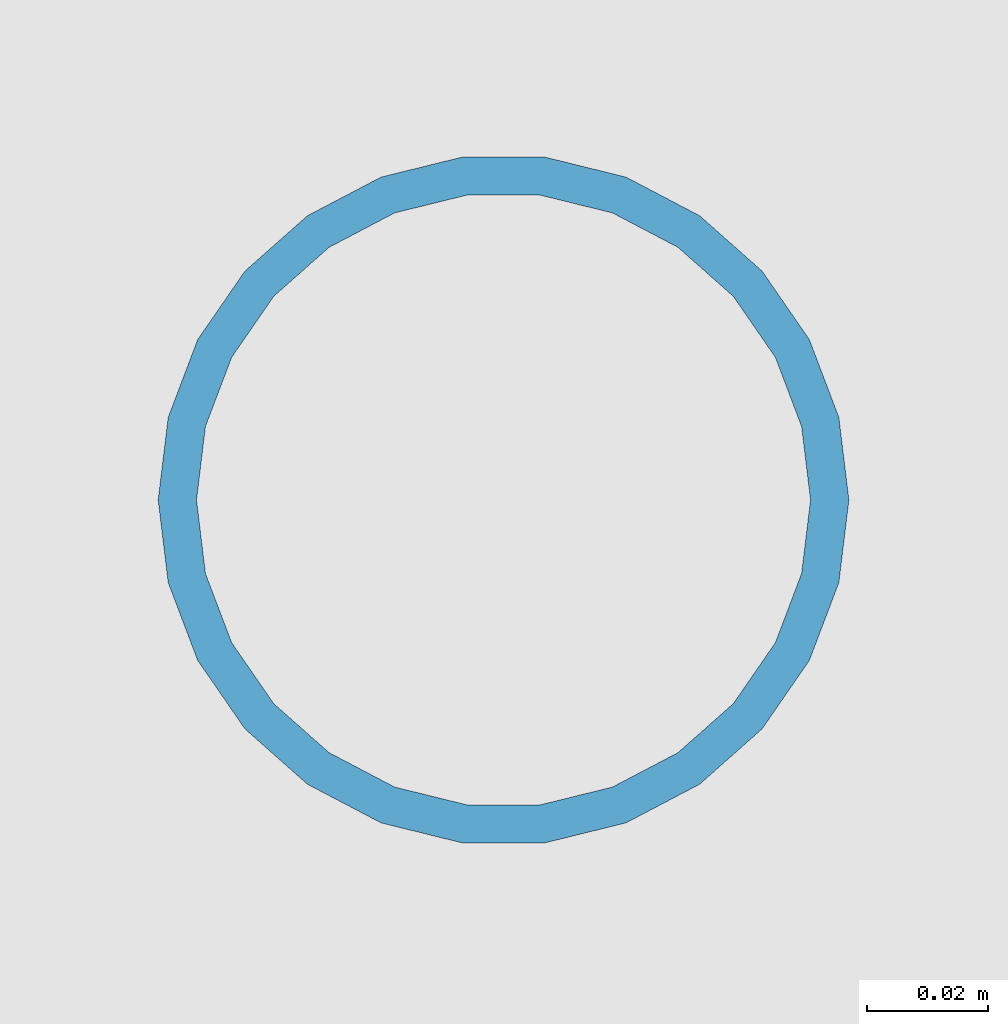
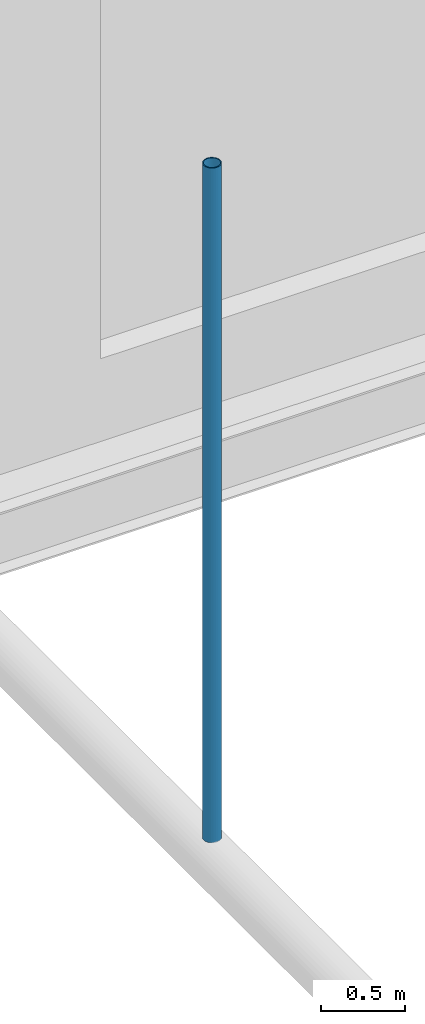
# One storey, part 53 of 167: 1 member.
"""IFC4 building model written with IfcOpenShell, lengths in metres."""

import ifcopenshell
import ifcopenshell.guid

model = None  # the IFC model being written
_history = None  # IfcOwnerHistory: only IFC2X3 demands one
_inside = {}  # id of a spatial element -> (the spatial element, [elements in it])
_under = {}  # id of a project, library or spatial element -> (it, [spatial elements below it])
_declared = {}  # id of a project -> (the project, [libraries it declares])
_typed = {}  # id of a type object -> (the type object, [elements of that type])
_made_of = {}  # id of a material, layer set ... -> (it, [elements and type objects made of it])


def new_model(schema):
    """Start an empty IFC model of exactly this schema.

    Asked for "IFC4X3", IfcOpenShell would pick the latest addendum, in which some entities
    have other attributes; the version numbers below select the first issue.
    IFC2X3 requires an IfcOwnerHistory on every rooted entity: one is made here for all.
    """
    global model, _history
    if schema == "IFC4X3":
        model = ifcopenshell.file(schema_version=(4, 3, 0, 0))
    else:
        model = ifcopenshell.file(schema=schema)
    _inside.clear()
    _under.clear()
    _declared.clear()
    _typed.clear()
    _made_of.clear()
    _history = None
    if model.schema == "IFC2X3":
        org = make("IfcOrganization", Name="unknown")
        user = make(
            "IfcPersonAndOrganization",
            ThePerson=make("IfcPerson", FamilyName="unknown"),
            TheOrganization=org,
        )
        app = make(
            "IfcApplication",
            ApplicationDeveloper=org,
            Version="unknown",
            ApplicationFullName="unknown",
            ApplicationIdentifier="unknown",
        )
        _history = make(
            "IfcOwnerHistory",
            OwningUser=user,
            OwningApplication=app,
            ChangeAction="ADDED",
            CreationDate=0,
        )
    return model


def make(cls, **values):
    """One entity of the class cls with the attributes given. An attribute that is None is left unset."""
    return model.create_entity(
        cls, **{name: value for name, value in values.items() if value is not None}
    )


def rooted(cls, **values):
    """An entity with a GlobalId (a new one), such as an element, a storey or a relation."""
    return make(cls, GlobalId=ifcopenshell.guid.new(), OwnerHistory=_history, **values)


def si_unit(unit_type, name, prefix=None):
    """IfcSIUnit, for example si_unit("LENGTHUNIT", "METRE", prefix="MILLI")."""
    return make("IfcSIUnit", UnitType=unit_type, Prefix=prefix, Name=name)


def assignment(units):
    """IfcUnitAssignment: the units of a project."""
    return None if units is None else make("IfcUnitAssignment", Units=units)


def point(xyz):
    """IfcCartesianPoint."""
    return None if xyz is None else make("IfcCartesianPoint", Coordinates=xyz)


def direction(xyz):
    """IfcDirection."""
    return None if xyz is None else make("IfcDirection", DirectionRatios=xyz)


def frame(location, z_axis=None, x_axis=None):
    """IfcAxis2Placement3D, a coordinate frame: its origin and axes. An axis left out is left unset."""
    return make(
        "IfcAxis2Placement3D",
        Location=point(location),
        Axis=direction(z_axis),
        RefDirection=direction(x_axis),
    )


def frame_2d(location, x_axis=None):
    """IfcAxis2Placement2D, a coordinate frame in the plane: its origin and x axis."""
    return make(
        "IfcAxis2Placement2D", Location=point(location), RefDirection=direction(x_axis)
    )


def origin():
    """The frame at (0, 0, 0) with its axes left unset."""
    return frame((0.0, 0.0, 0.0))


def origin_2d():
    """The frame at (0, 0) in the plane with its x axis left unset."""
    return frame_2d((0.0, 0.0))


def place(relative_to, where):
    """IfcLocalPlacement: puts the frame where relative to a parent placement (None: the world)."""
    return make(
        "IfcLocalPlacement", PlacementRelTo=relative_to, RelativePlacement=where
    )


def context(
    kind, dimensions, precision=None, world=None, true_north=None, identifier=None
):
    """IfcGeometricRepresentationContext, for example the 3D "Model" context."""
    return make(
        "IfcGeometricRepresentationContext",
        ContextIdentifier=identifier,
        ContextType=kind,
        CoordinateSpaceDimension=dimensions,
        Precision=precision,
        WorldCoordinateSystem=world,
        TrueNorth=true_north,
    )


def subcontext(parent, identifier, kind, view, scale=None):
    """IfcGeometricRepresentationSubContext, for example "Body" below "Model"."""
    return make(
        "IfcGeometricRepresentationSubContext",
        ContextIdentifier=identifier,
        ContextType=kind,
        ParentContext=parent,
        TargetScale=scale,
        TargetView=view,
    )


def project(units=None, contexts=None):
    """IfcProject with its units and contexts."""
    return rooted(
        "IfcProject",
        Name="project",
        RepresentationContexts=contexts,
        UnitsInContext=assignment(units),
    )


def spatial(cls, under=None, at=None, **own):
    """A site, building, storey or space (cls), placed at a placement, below another one or the project."""
    s = rooted(cls, ObjectPlacement=at, **own)
    if under is not None:
        _under.setdefault(under.id(), (under, []))[1].append(s)
    return s


def profile(cls, at=None, kind="AREA", **sizes):
    """A parametric profile (cls). Its sizes go by their IFC names, for example OverallWidth=200.0."""
    return make(cls, ProfileType=kind, Position=at, **sizes)


def hollow_circle(**sizes):
    """IfcCircleHollowProfileDef."""
    return profile("IfcCircleHollowProfileDef", **sizes)


def extrude(swept, where, along, depth):
    """IfcExtrudedAreaSolid: the profile swept, set in the frame where, extruded along a direction by depth."""
    return make(
        "IfcExtrudedAreaSolid",
        SweptArea=swept,
        Position=where,
        ExtrudedDirection=direction(along),
        Depth=depth,
    )


def shape(context_of_items, identifier, shape_type, items):
    """IfcShapeRepresentation: the items that make up one representation, for example the "Body"."""
    return make(
        "IfcShapeRepresentation",
        ContextOfItems=context_of_items,
        RepresentationIdentifier=identifier,
        RepresentationType=shape_type,
        Items=items,
    )


def material(Name=None, Category=None):
    """IfcMaterial."""
    return make("IfcMaterial", Name=Name, Category=Category)


def material_profile(
    of_material, cross_section, Name=None, Category=None, Priority=None
):
    """IfcMaterialProfile: a cross section and its material."""
    return make(
        "IfcMaterialProfile",
        Name=Name,
        Material=of_material,
        Profile=cross_section,
        Priority=Priority,
        Category=Category,
    )


def profile_set(profiles, Name=None, composite=None):
    """IfcMaterialProfileSet."""
    return make(
        "IfcMaterialProfileSet",
        Name=Name,
        MaterialProfiles=profiles,
        CompositeProfile=composite,
    )


def made_of(thing, what):
    """Note that an element or type object is made of a material, layer set ...; save() writes the relation."""
    if what is not None:
        _made_of.setdefault(what.id(), (what, []))[1].append(thing)
    return thing


def type_object(cls, material=None, **own):
    """A type object (cls), such as IfcWallType, which elements share."""
    return made_of(rooted(cls, **own), material)


def element(
    cls,
    number,
    at=None,
    inside=None,
    cuts=None,
    type_object=None,
    material=None,
    context=None,
    identifier="Body",
    shape_type=None,
    held_by="IfcProductDefinitionShape",
    body=None,
    shapes=None,
    **own,
):
    """One element of the class cls, such as IfcWall. Its Tag is "e" and its number.

    at: its placement. inside: the storey or other place that contains it. cuts: it is an
    opening in that element (IfcRelVoidsElement). A single representation is given by context,
    identifier, shape_type and body (its items); several are given by shapes. held_by: the class
    of the entity that holds the representations. save() writes the other relations.
    """
    e = rooted(cls, Tag="e%d" % number, ObjectPlacement=at, **own)
    if body is not None:
        shapes = [shape(context, identifier, shape_type, body)]
    if shapes is not None:
        e.Representation = make(held_by, Representations=shapes)
    if inside is not None:
        _inside.setdefault(inside.id(), (inside, []))[1].append(e)
    if cuts is not None:
        rooted(
            "IfcRelVoidsElement", RelatingBuildingElement=cuts, RelatedOpeningElement=e
        )
    if type_object is not None:
        _typed.setdefault(type_object.id(), (type_object, []))[1].append(e)
    return made_of(e, material)


def aggregate(whole, parts):
    """IfcRelAggregates: a whole, such as a stair, and the parts it consists of."""
    return rooted("IfcRelAggregates", RelatingObject=whole, RelatedObjects=parts)


def save(model, path):
    """Write the relations noted so far, then the file.

    IfcRelAggregates (storeys below a building ...), IfcRelContainedInSpatialStructure (elements
    in a storey), IfcRelDefinesByType, IfcRelAssociatesMaterial and IfcRelDeclares: one each for
    every whole, place, type object, material and project.
    """
    for whole, parts in _under.values():
        aggregate(whole, parts)
    for where, things in _inside.values():
        rooted(
            "IfcRelContainedInSpatialStructure",
            RelatedElements=things,
            RelatingStructure=where,
        )
    for kind, things in _typed.values():
        rooted("IfcRelDefinesByType", RelatedObjects=things, RelatingType=kind)
    for what, things in _made_of.values():
        rooted("IfcRelAssociatesMaterial", RelatedObjects=things, RelatingMaterial=what)
    for by, libraries in _declared.values():
        rooted("IfcRelDeclares", RelatingContext=by, RelatedDefinitions=libraries)
    model.write(path)


model = new_model("IFC4")

# Units and contexts
model_context = context("Model", 3, precision=1e-05, world=origin(), true_north=direction((0.0, 1.0)))
body_context = subcontext(model_context, "Body", "Model", "MODEL_VIEW")
ifc_project = project(units=[si_unit("LENGTHUNIT", "METRE"), si_unit("AREAUNIT", "SQUARE_METRE"), si_unit("VOLUMEUNIT", "CUBIC_METRE"), si_unit("PLANEANGLEUNIT", "RADIAN"), si_unit("MASSUNIT", "GRAM", prefix="KILO")], contexts=[model_context])

# Site, building, storey
site_placement = place(None, origin())
site = spatial("IfcSite", under=ifc_project, at=site_placement, CompositionType="ELEMENT")
building_placement = place(site_placement, origin())
building = spatial("IfcBuilding", under=site, at=building_placement, Name="Catenary Quay Ferry Terminal", CompositionType="ELEMENT")
storey_placement = place(building_placement, frame((0.0, 0.0, 6.0)))
storey = spatial("IfcBuildingStorey", under=building, at=storey_placement, Name="L01", CompositionType="ELEMENT", Elevation=6.0)

# Member
ifc_material = material(Name="Steel S355", Category="steel")
ifc_material_profile = material_profile(ifc_material, hollow_circle(Radius=0.05712890625, WallThickness=0.00634765625, at=origin_2d()), Name="CHS 114.3x6.3")
ifc_profile_set = profile_set([ifc_material_profile], Name="Steel S355")
member_type = type_object("IfcMemberType", Name="HG1 CHS 114.3x6.3", PredefinedType="POST", material=ifc_profile_set)
member_placement = place(storey_placement, frame((42.0, 91.159912109375, 4.654052734375), z_axis=(0.0, 0.0, 1.0), x_axis=(1.0, 0.0, 0.0)))
element("IfcMember", 1, at=member_placement, inside=storey, type_object=member_type, Name="Hanger VA-03-07", PredefinedType="POST", context=body_context, shape_type="SweptSolid", body=[
    extrude(hollow_circle(Radius=0.05712890625, WallThickness=0.00634765625, at=origin_2d()), origin(), (0.0, 0.0, 1.0), 4.89599609375),
])

save(model, "model.ifc")
